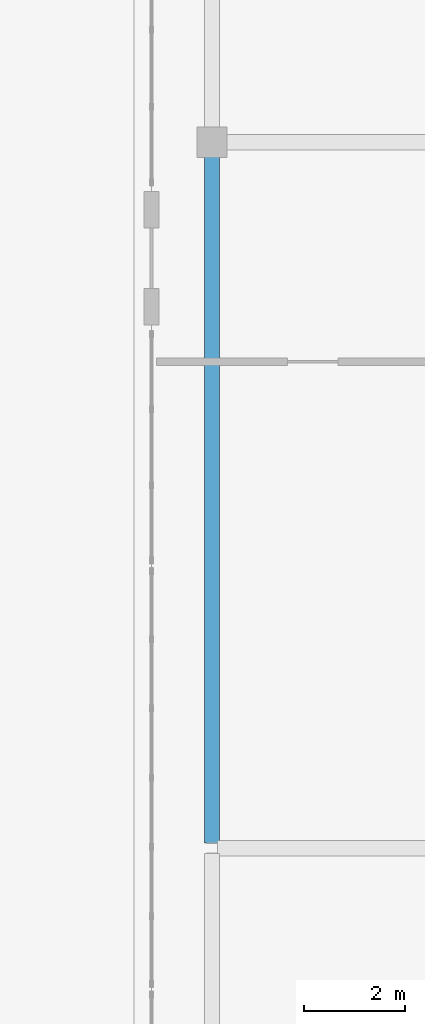
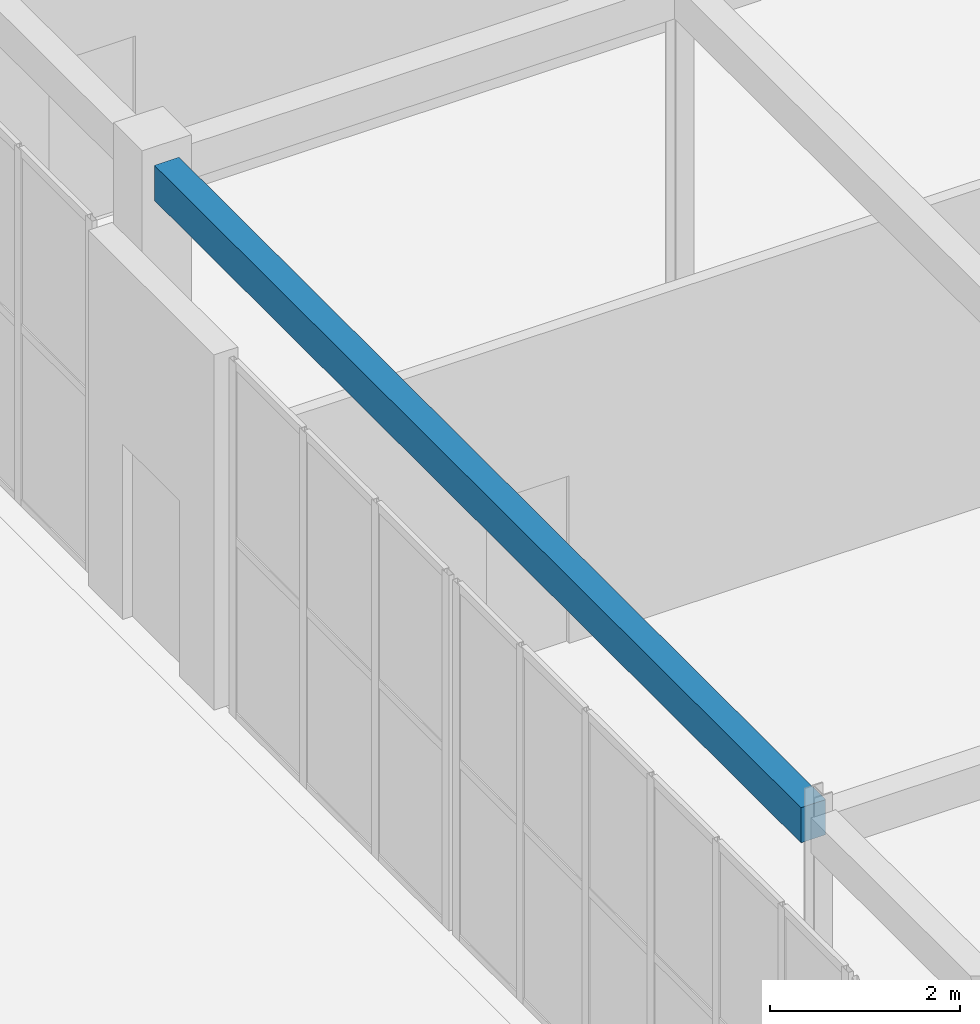
# One storey, part 25 of 158: 1 beam.
"""IFC4 building model written with IfcOpenShell, lengths in metres."""

from ifc_helpers import new_model, si_unit, direction, frame, origin, origin_2d, place, context, subcontext, project, spatial, rectangle, extrude, material, material_profile, profile_set, type_object, element, save


model = new_model("IFC4")

# Units and contexts
model_context = context("Model", 3, precision=1e-05, world=origin(), true_north=direction((0.0, 1.0)))
body_context = subcontext(model_context, "Body", "Model", "MODEL_VIEW")
ifc_project = project(units=[si_unit("LENGTHUNIT", "METRE"), si_unit("AREAUNIT", "SQUARE_METRE"), si_unit("VOLUMEUNIT", "CUBIC_METRE"), si_unit("PLANEANGLEUNIT", "RADIAN"), si_unit("MASSUNIT", "GRAM", prefix="KILO")], contexts=[model_context])

# Site, building, storey
site_placement = place(None, origin())
site = spatial("IfcSite", under=ifc_project, at=site_placement, CompositionType="ELEMENT")
building_placement = place(site_placement, origin())
building = spatial("IfcBuilding", under=site, at=building_placement, Name="Trelvath General Hospital", CompositionType="ELEMENT")
storey_placement = place(building_placement, frame((0.0, 0.0, 8.10009765625)))
storey = spatial("IfcBuildingStorey", under=building, at=storey_placement, Name="L02", CompositionType="ELEMENT", Elevation=8.10009765625)

# Beam
ifc_material = material(Name="Concrete C35/45", Category="concrete")
ifc_material_profile = material_profile(ifc_material, rectangle(XDim=0.300048828125, YDim=0.449951171875, at=origin_2d()), Name="RCB300x450")
ifc_profile_set = profile_set([ifc_material_profile], Name="Concrete C35/45")
beam_type = type_object("IfcBeamType", Name="Beam RC300x450", PredefinedType="BEAM", material=ifc_profile_set)
beam_placement = place(storey_placement, frame((54.39990234375, 44.906005859375, 4.3349609375), z_axis=(0.0, 1.0, 0.0), x_axis=(-1.0, 0.0, 0.0)))
element("IfcBeam", 1, at=beam_placement, inside=storey, type_object=beam_type, Name="Cube Interior Ring Beam CUBE-W-T1 L02", PredefinedType="BEAM", context=body_context, shape_type="SweptSolid", body=[
    extrude(rectangle(XDim=0.300048828125, YDim=0.449951171875, at=origin_2d()), origin(), (0.0, 0.0, 1.0), 13.597900390625),
])

save(model, "model.ifc")
